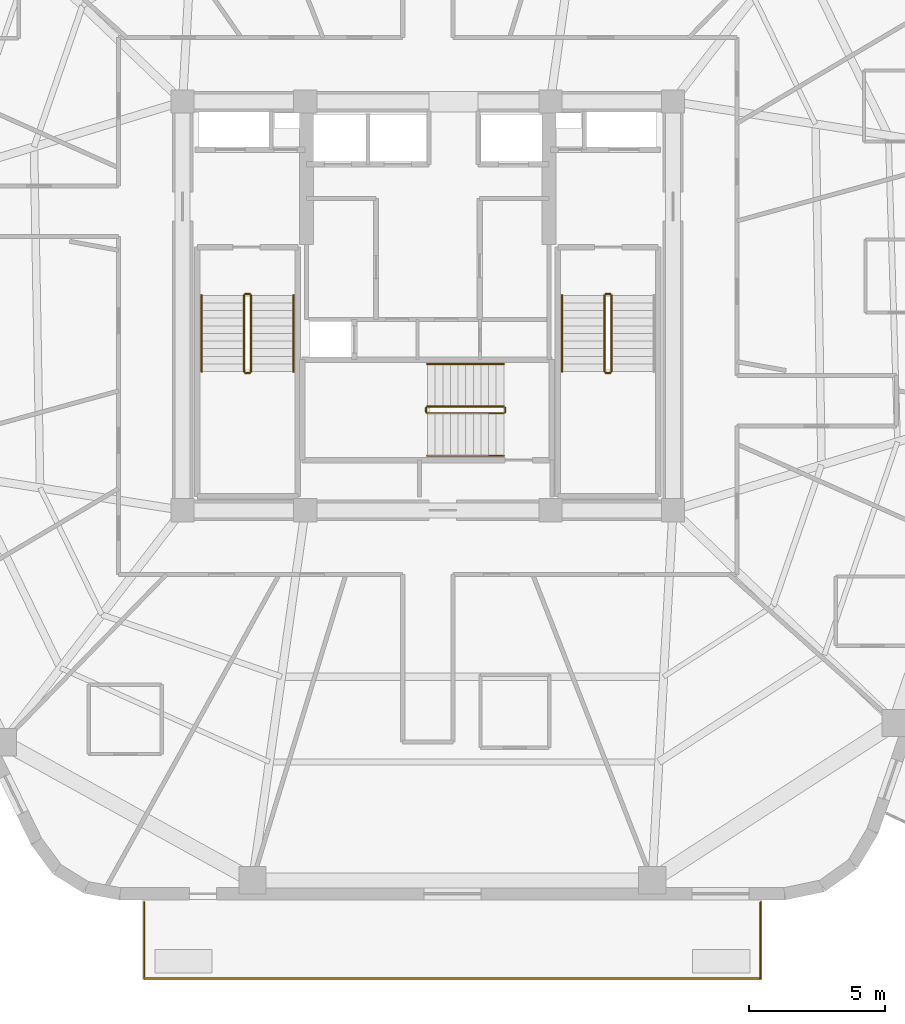
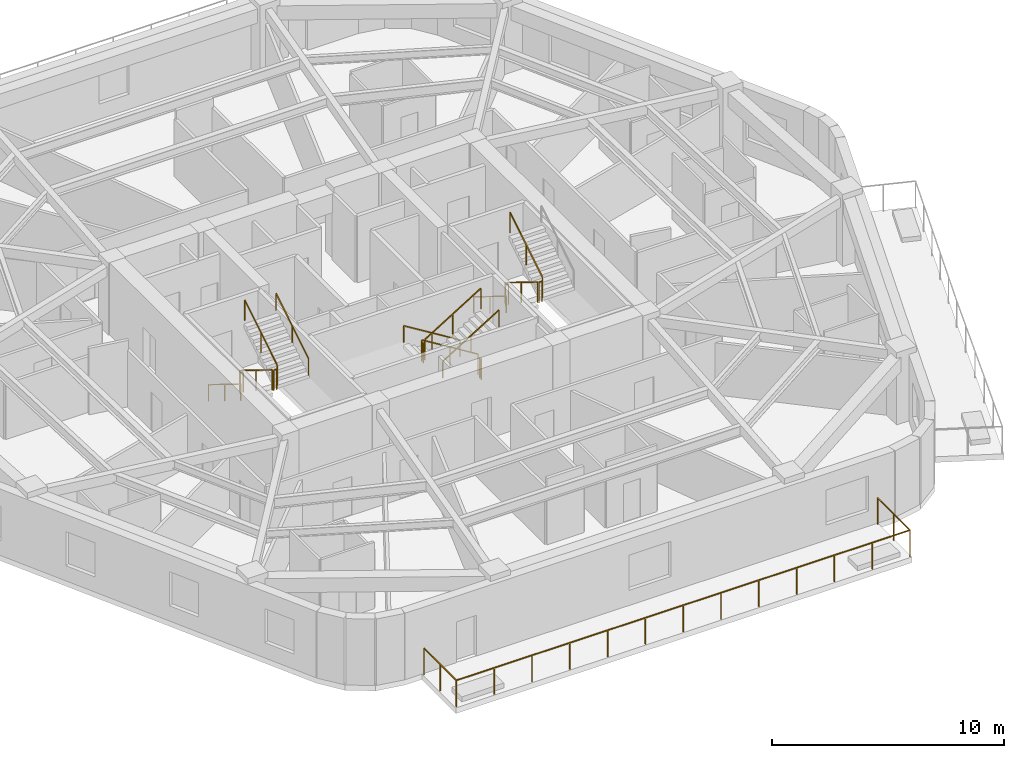
# One storey, part 8 of 9: 18 railings.
"""IFC4 building model written with IfcOpenShell, lengths in metres."""

from ifc_helpers import new_model, si_unit, direction, frame, origin, origin_2d, place, context, subcontext, project, spatial, rectangle, extrude, material, layer, layer_set, type_object, element, save


model = new_model("IFC4")

# Units and contexts
model_context = context("Model", 3, precision=1e-05, world=origin(), true_north=direction((0.0, 1.0)))
body_context = subcontext(model_context, "Body", "Model", "MODEL_VIEW")
ifc_project = project(units=[si_unit("LENGTHUNIT", "METRE"), si_unit("AREAUNIT", "SQUARE_METRE"), si_unit("VOLUMEUNIT", "CUBIC_METRE"), si_unit("PLANEANGLEUNIT", "RADIAN"), si_unit("MASSUNIT", "GRAM", prefix="KILO")], contexts=[model_context])

# Site, building, storey
site_placement = place(None, origin())
site = spatial("IfcSite", under=ifc_project, at=site_placement, CompositionType="ELEMENT")
building_placement = place(site_placement, origin())
building = spatial("IfcBuilding", under=site, at=building_placement, Name="Kilnhurst Terrace Hotel", CompositionType="ELEMENT")
storey_placement = place(building_placement, frame((0.0, 0.0, 221.699951171875)))
storey = spatial("IfcBuildingStorey", under=building, at=storey_placement, Name="L55", CompositionType="ELEMENT", Elevation=221.699951171875)

# Railings
ifc_material_1 = material(Name="Laminated SentryGlas and Stainless Steel AISI 316L Balustrade", Category="steel")
ifc_layer_1 = layer(ifc_material_1, 0.070068359375, Name="Laminated SentryGlas and Stainless Steel AISI 316L Balustrade")
ifc_layer_set_1 = layer_set([ifc_layer_1], Name="Laminated SentryGlas and Stainless Steel AISI 316L Balustrade")
railing_type_1 = type_object("IfcRailingType", Name="RLG-BAL-1420", PredefinedType="BALUSTRADE", material=ifc_layer_set_1)
railing_1_placement = place(storey_placement, frame((12.21484375, -21.8798828125, 0.0)))
element("IfcRailing", 1, at=railing_1_placement, inside=storey, type_object=railing_type_1, Name="L55 Exterior Terrace Guardrail BAL-L1A.1", PredefinedType="BALUSTRADE", context=body_context, shape_type="SweptSolid", body=[
    extrude(rectangle(XDim=0.048095703125, YDim=0.048095703125, at=origin_2d()), frame((0.0, 0.0, 1.39599609375), z_axis=(0.0, -1.0, 0.0), x_axis=(1.0, 0.0, 0.0)), (0.0, 0.0, 1.0), 2.800048828125),
    extrude(rectangle(XDim=0.048095703125, YDim=0.048095703125, at=origin_2d()), frame((0.0, -2.800048828125, 1.39599609375), z_axis=(-1.0, 0.0, 0.0), x_axis=(0.0, -1.0, 0.0)), (0.0, 0.0, 1.0), 22.62353515625),
    extrude(rectangle(XDim=0.048095703125, YDim=0.048095703125, at=origin_2d()), frame((-22.62353515625, -2.800048828125, 1.39599609375), z_axis=(0.0, 1.0, 0.0), x_axis=(-1.0, 0.0, 0.0)), (0.0, 0.0, 1.0), 2.800048828125),
    extrude(rectangle(XDim=0.0419921875, YDim=0.0419921875, at=origin_2d()), origin(), (0.0, 0.0, 1.0), 1.371826171875),
    extrude(rectangle(XDim=0.0419921875, YDim=0.0419921875, at=origin_2d()), frame((0.0, -1.39990234375, 0.0)), (0.0, 0.0, 1.0), 1.371826171875),
    extrude(rectangle(XDim=0.0419921875, YDim=0.0419921875, at=origin_2d()), frame((0.0, -2.800048828125, 0.0)), (0.0, 0.0, 1.0), 1.371826171875),
    extrude(rectangle(XDim=0.0419921875, YDim=0.0419921875, at=origin_2d()), frame((-1.88525390625, -2.800048828125, 0.0)), (0.0, 0.0, 1.0), 1.371826171875),
    extrude(rectangle(XDim=0.0419921875, YDim=0.0419921875, at=origin_2d()), frame((-3.7705078125, -2.800048828125, 0.0)), (0.0, 0.0, 1.0), 1.371826171875),
    extrude(rectangle(XDim=0.0419921875, YDim=0.0419921875, at=origin_2d()), frame((-5.65576171875, -2.800048828125, 0.0)), (0.0, 0.0, 1.0), 1.371826171875),
    extrude(rectangle(XDim=0.0419921875, YDim=0.0419921875, at=origin_2d()), frame((-7.541259765625, -2.800048828125, 0.0)), (0.0, 0.0, 1.0), 1.371826171875),
    extrude(rectangle(XDim=0.0419921875, YDim=0.0419921875, at=origin_2d()), frame((-9.426513671875, -2.800048828125, 0.0)), (0.0, 0.0, 1.0), 1.371826171875),
    extrude(rectangle(XDim=0.0419921875, YDim=0.0419921875, at=origin_2d()), frame((-11.311767578125, -2.800048828125, 0.0)), (0.0, 0.0, 1.0), 1.371826171875),
    extrude(rectangle(XDim=0.0419921875, YDim=0.0419921875, at=origin_2d()), frame((-13.197021484375, -2.800048828125, 0.0)), (0.0, 0.0, 1.0), 1.371826171875),
    extrude(rectangle(XDim=0.0419921875, YDim=0.0419921875, at=origin_2d()), frame((-15.082275390625, -2.800048828125, 0.0)), (0.0, 0.0, 1.0), 1.371826171875),
    extrude(rectangle(XDim=0.0419921875, YDim=0.0419921875, at=origin_2d()), frame((-16.9677734375, -2.800048828125, 0.0)), (0.0, 0.0, 1.0), 1.371826171875),
    extrude(rectangle(XDim=0.0419921875, YDim=0.0419921875, at=origin_2d()), frame((-18.85302734375, -2.800048828125, 0.0)), (0.0, 0.0, 1.0), 1.371826171875),
    extrude(rectangle(XDim=0.0419921875, YDim=0.0419921875, at=origin_2d()), frame((-20.73828125, -2.800048828125, 0.0)), (0.0, 0.0, 1.0), 1.371826171875),
    extrude(rectangle(XDim=0.0419921875, YDim=0.0419921875, at=origin_2d()), frame((-22.62353515625, -2.800048828125, 0.0)), (0.0, 0.0, 1.0), 1.371826171875),
    extrude(rectangle(XDim=0.0419921875, YDim=0.0419921875, at=origin_2d()), frame((-22.62353515625, -1.39990234375, 0.0)), (0.0, 0.0, 1.0), 1.371826171875),
    extrude(rectangle(XDim=0.0419921875, YDim=0.0419921875, at=origin_2d()), frame((-22.62353515625, 0.0, 0.0)), (0.0, 0.0, 1.0), 1.371826171875),
])
ifc_material_2 = material(Name="Powder-Coated Steel ASTM A500 Grade B", Category="steel")
ifc_layer_2 = layer(ifc_material_2, 0.050048828125, Name="Powder-Coated Steel ASTM A500 Grade B")
ifc_layer_set_2 = layer_set([ifc_layer_2], Name="Powder-Coated Steel ASTM A500 Grade B")
railing_type_2 = type_object("IfcRailingType", Name="RLG-ST-GRD-1100", PredefinedType="GUARDRAIL", material=ifc_layer_set_2)
railing_2_placement = place(storey_placement, frame((-6.739990234375, 0.389892578125, 0.1728515625)))
element("IfcRailing", 2, at=railing_2_placement, inside=storey, type_object=railing_type_2, Name="L55 ST-1 stair guard 1", PredefinedType="GUARDRAIL", context=body_context, shape_type="SweptSolid", body=[
    extrude(rectangle(XDim=0.048095703125, YDim=0.048095703125, at=origin_2d()), frame((0.0, 0.0, 1.076171875), z_axis=(0.0, -0.851069175582, 0.525053576669), x_axis=(1.0, 0.0, 0.0)), (0.0, 0.0, 1.0), 3.289794921875),
    extrude(rectangle(XDim=0.0419921875, YDim=0.0419921875, at=origin_2d()), origin(), (0.0, 0.0, 1.0), 1.052001953125),
    extrude(rectangle(XDim=0.0419921875, YDim=0.0419921875, at=origin_2d()), frame((0.0, -1.39990234375, 0.86376953125)), (0.0, 0.0, 1.0), 1.052001953125),
    extrude(rectangle(XDim=0.0419921875, YDim=0.0419921875, at=origin_2d()), frame((0.0, -2.7998046875, 1.727294921875)), (0.0, 0.0, 1.0), 1.052001953125),
])
railing_3_placement = place(storey_placement, frame((-6.68994140625, -2.4599609375, 1.900146484375)))
element("IfcRailing", 3, at=railing_3_placement, inside=storey, type_object=railing_type_2, Name="L55 ST-1 stair guard 2", PredefinedType="GUARDRAIL", context=body_context, shape_type="SweptSolid", body=[
    extrude(rectangle(XDim=0.048095703125, YDim=0.048095703125, at=origin_2d()), frame((0.0, 0.0, 1.076171875), z_axis=(1.0, 0.0, 0.0), x_axis=(0.0, 1.0, 0.0)), (0.0, 0.0, 1.0), 0.14990234375),
    extrude(rectangle(XDim=0.0419921875, YDim=0.0419921875, at=origin_2d()), origin(), (0.0, 0.0, 1.0), 1.052001953125),
    extrude(rectangle(XDim=0.0419921875, YDim=0.0419921875, at=origin_2d()), frame((0.14990234375, 0.0, 0.0)), (0.0, 0.0, 1.0), 1.052001953125),
])
railing_4_placement = place(storey_placement, frame((-6.489990234375, -2.409912109375, 2.07275390625)))
element("IfcRailing", 4, at=railing_4_placement, inside=storey, type_object=railing_type_2, Name="L55 ST-1 stair guard 3", PredefinedType="GUARDRAIL", context=body_context, shape_type="SweptSolid", body=[
    extrude(rectangle(XDim=0.048095703125, YDim=0.048095703125, at=origin_2d()), frame((0.0, 0.0, 1.076171875), z_axis=(0.0, 0.851069175582, 0.525053576669), x_axis=(-1.0, 0.0, 0.0)), (0.0, 0.0, 1.0), 3.289794921875),
    extrude(rectangle(XDim=0.0419921875, YDim=0.0419921875, at=origin_2d()), origin(), (0.0, 0.0, 1.0), 1.052001953125),
    extrude(rectangle(XDim=0.0419921875, YDim=0.0419921875, at=origin_2d()), frame((0.0, 1.39990234375, 0.86376953125)), (0.0, 0.0, 1.0), 1.052001953125),
    extrude(rectangle(XDim=0.0419921875, YDim=0.0419921875, at=origin_2d()), frame((0.0, 2.7998046875, 1.727294921875)), (0.0, 0.0, 1.0), 1.052001953125),
])
railing_5_placement = place(storey_placement, frame((-6.68994140625, 0.43994140625, 0.0)))
element("IfcRailing", 5, at=railing_5_placement, inside=storey, type_object=railing_type_2, Name="L55 ST-1 stair guard 4", PredefinedType="GUARDRAIL", context=body_context, shape_type="SweptSolid", body=[
    extrude(rectangle(XDim=0.048095703125, YDim=0.048095703125, at=origin_2d()), frame((0.0, 0.0, 1.076171875), z_axis=(1.0, 0.0, 0.0), x_axis=(0.0, 1.0, 0.0)), (0.0, 0.0, 1.0), 0.14990234375),
    extrude(rectangle(XDim=0.0419921875, YDim=0.0419921875, at=origin_2d()), origin(), (0.0, 0.0, 1.0), 1.052001953125),
    extrude(rectangle(XDim=0.0419921875, YDim=0.0419921875, at=origin_2d()), frame((0.14990234375, 0.0, 0.0)), (0.0, 0.0, 1.0), 1.052001953125),
])
railing_6_placement = place(storey_placement, frame((6.489990234375, 0.389892578125, 0.1728515625)))
element("IfcRailing", 6, at=railing_6_placement, inside=storey, type_object=railing_type_2, Name="L55 ST-2 stair guard 1", PredefinedType="GUARDRAIL", context=body_context, shape_type="SweptSolid", body=[
    extrude(rectangle(XDim=0.048095703125, YDim=0.048095703125, at=origin_2d()), frame((0.0, 0.0, 1.076171875), z_axis=(0.0, -0.851069175582, 0.525053576669), x_axis=(1.0, 0.0, 0.0)), (0.0, 0.0, 1.0), 3.289794921875),
    extrude(rectangle(XDim=0.0419921875, YDim=0.0419921875, at=origin_2d()), origin(), (0.0, 0.0, 1.0), 1.052001953125),
    extrude(rectangle(XDim=0.0419921875, YDim=0.0419921875, at=origin_2d()), frame((0.0, -1.39990234375, 0.86376953125)), (0.0, 0.0, 1.0), 1.052001953125),
    extrude(rectangle(XDim=0.0419921875, YDim=0.0419921875, at=origin_2d()), frame((0.0, -2.7998046875, 1.727294921875)), (0.0, 0.0, 1.0), 1.052001953125),
])
railing_7_placement = place(storey_placement, frame((6.5400390625, -2.4599609375, 1.900146484375)))
element("IfcRailing", 7, at=railing_7_placement, inside=storey, type_object=railing_type_2, Name="L55 ST-2 stair guard 2", PredefinedType="GUARDRAIL", context=body_context, shape_type="SweptSolid", body=[
    extrude(rectangle(XDim=0.048095703125, YDim=0.048095703125, at=origin_2d()), frame((0.0, 0.0, 1.076171875), z_axis=(1.0, 0.0, 0.0), x_axis=(0.0, 1.0, 0.0)), (0.0, 0.0, 1.0), 0.14990234375),
    extrude(rectangle(XDim=0.0419921875, YDim=0.0419921875, at=origin_2d()), origin(), (0.0, 0.0, 1.0), 1.052001953125),
    extrude(rectangle(XDim=0.0419921875, YDim=0.0419921875, at=origin_2d()), frame((0.14990234375, 0.0, 0.0)), (0.0, 0.0, 1.0), 1.052001953125),
])
railing_8_placement = place(storey_placement, frame((6.739990234375, -2.409912109375, 2.07275390625)))
element("IfcRailing", 8, at=railing_8_placement, inside=storey, type_object=railing_type_2, Name="L55 ST-2 stair guard 3", PredefinedType="GUARDRAIL", context=body_context, shape_type="SweptSolid", body=[
    extrude(rectangle(XDim=0.048095703125, YDim=0.048095703125, at=origin_2d()), frame((0.0, 0.0, 1.076171875), z_axis=(0.0, 0.851069175582, 0.525053576669), x_axis=(-1.0, 0.0, 0.0)), (0.0, 0.0, 1.0), 3.289794921875),
    extrude(rectangle(XDim=0.0419921875, YDim=0.0419921875, at=origin_2d()), origin(), (0.0, 0.0, 1.0), 1.052001953125),
    extrude(rectangle(XDim=0.0419921875, YDim=0.0419921875, at=origin_2d()), frame((0.0, 1.39990234375, 0.86376953125)), (0.0, 0.0, 1.0), 1.052001953125),
    extrude(rectangle(XDim=0.0419921875, YDim=0.0419921875, at=origin_2d()), frame((0.0, 2.7998046875, 1.727294921875)), (0.0, 0.0, 1.0), 1.052001953125),
])
railing_9_placement = place(storey_placement, frame((6.5400390625, 0.43994140625, 0.0)))
element("IfcRailing", 9, at=railing_9_placement, inside=storey, type_object=railing_type_2, Name="L55 ST-2 stair guard 4", PredefinedType="GUARDRAIL", context=body_context, shape_type="SweptSolid", body=[
    extrude(rectangle(XDim=0.048095703125, YDim=0.048095703125, at=origin_2d()), frame((0.0, 0.0, 1.076171875), z_axis=(1.0, 0.0, 0.0), x_axis=(0.0, 1.0, 0.0)), (0.0, 0.0, 1.0), 0.14990234375),
    extrude(rectangle(XDim=0.0419921875, YDim=0.0419921875, at=origin_2d()), origin(), (0.0, 0.0, 1.0), 1.052001953125),
    extrude(rectangle(XDim=0.0419921875, YDim=0.0419921875, at=origin_2d()), frame((0.14990234375, 0.0, 0.0)), (0.0, 0.0, 1.0), 1.052001953125),
])
railing_10_placement = place(storey_placement, frame((2.7900390625, -3.68994140625, 0.1728515625)))
element("IfcRailing", 10, at=railing_10_placement, inside=storey, type_object=railing_type_2, Name="L55 ST-3 stair guard 1", PredefinedType="GUARDRAIL", context=body_context, shape_type="SweptSolid", body=[
    extrude(rectangle(XDim=0.048095703125, YDim=0.048095703125, at=origin_2d()), frame((0.0, 0.0, 1.076171875), z_axis=(-0.851089632645, 0.0, 0.525020415988), x_axis=(0.0, -1.0, 0.0)), (0.0, 0.0, 1.0), 3.2900390625),
    extrude(rectangle(XDim=0.0419921875, YDim=0.0419921875, at=origin_2d()), origin(), (0.0, 0.0, 1.0), 1.052001953125),
    extrude(rectangle(XDim=0.0419921875, YDim=0.0419921875, at=origin_2d()), frame((-1.39990234375, 0.0, 0.86376953125)), (0.0, 0.0, 1.0), 1.052001953125),
    extrude(rectangle(XDim=0.0419921875, YDim=0.0419921875, at=origin_2d()), frame((-2.800048828125, 0.0, 1.727294921875)), (0.0, 0.0, 1.0), 1.052001953125),
])
railing_11_placement = place(storey_placement, frame((-0.06005859375, -3.739990234375, 1.900146484375)))
element("IfcRailing", 11, at=railing_11_placement, inside=storey, type_object=railing_type_2, Name="L55 ST-3 stair guard 2", PredefinedType="GUARDRAIL", context=body_context, shape_type="SweptSolid", body=[
    extrude(rectangle(XDim=0.048095703125, YDim=0.048095703125, at=origin_2d()), frame((0.0, 0.0, 1.076171875), z_axis=(0.0, -1.0, 0.0), x_axis=(1.0, 0.0, 0.0)), (0.0, 0.0, 1.0), 0.14990234375),
    extrude(rectangle(XDim=0.0419921875, YDim=0.0419921875, at=origin_2d()), origin(), (0.0, 0.0, 1.0), 1.052001953125),
    extrude(rectangle(XDim=0.0419921875, YDim=0.0419921875, at=origin_2d()), frame((0.0, -0.14990234375, 0.0)), (0.0, 0.0, 1.0), 1.052001953125),
])
railing_12_placement = place(storey_placement, frame((-0.010009765625, -3.93994140625, 2.07275390625)))
element("IfcRailing", 12, at=railing_12_placement, inside=storey, type_object=railing_type_2, Name="L55 ST-3 stair guard 3", PredefinedType="GUARDRAIL", context=body_context, shape_type="SweptSolid", body=[
    extrude(rectangle(XDim=0.048095703125, YDim=0.048095703125, at=origin_2d()), frame((0.0, 0.0, 1.076171875), z_axis=(0.851089632645, 0.0, 0.525020415988), x_axis=(0.0, 1.0, 0.0)), (0.0, 0.0, 1.0), 3.2900390625),
    extrude(rectangle(XDim=0.0419921875, YDim=0.0419921875, at=origin_2d()), origin(), (0.0, 0.0, 1.0), 1.052001953125),
    extrude(rectangle(XDim=0.0419921875, YDim=0.0419921875, at=origin_2d()), frame((1.39990234375, 0.0, 0.86376953125)), (0.0, 0.0, 1.0), 1.052001953125),
    extrude(rectangle(XDim=0.0419921875, YDim=0.0419921875, at=origin_2d()), frame((2.800048828125, 0.0, 1.727294921875)), (0.0, 0.0, 1.0), 1.052001953125),
])
railing_13_placement = place(storey_placement, frame((2.840087890625, -3.739990234375, 0.0)))
element("IfcRailing", 13, at=railing_13_placement, inside=storey, type_object=railing_type_2, Name="L55 ST-3 stair guard 4", PredefinedType="GUARDRAIL", context=body_context, shape_type="SweptSolid", body=[
    extrude(rectangle(XDim=0.048095703125, YDim=0.048095703125, at=origin_2d()), frame((0.0, 0.0, 1.076171875), z_axis=(0.0, -1.0, 0.0), x_axis=(1.0, 0.0, 0.0)), (0.0, 0.0, 1.0), 0.14990234375),
    extrude(rectangle(XDim=0.0419921875, YDim=0.0419921875, at=origin_2d()), origin(), (0.0, 0.0, 1.0), 1.052001953125),
    extrude(rectangle(XDim=0.0419921875, YDim=0.0419921875, at=origin_2d()), frame((0.0, -0.14990234375, 0.0)), (0.0, 0.0, 1.0), 1.052001953125),
])
ifc_material_3 = material(Name="Brushed Stainless Steel AISI 304", Category="steel")
ifc_layer_3 = layer(ifc_material_3, 0.048095703125, Name="Brushed Stainless Steel AISI 304")
ifc_layer_set_3 = layer_set([ifc_layer_3], Name="Brushed Stainless Steel AISI 304")
railing_type_3 = type_object("IfcRailingType", Name="RLG-ST-HRL-900", PredefinedType="HANDRAIL", material=ifc_layer_set_3)
railing_14_placement = place(storey_placement, frame((-8.300048828125, 0.389892578125, 0.1728515625)))
element("IfcRailing", 14, at=railing_14_placement, inside=storey, type_object=railing_type_3, Name="L55 ST-1 stair handrail 1", PredefinedType="HANDRAIL", context=body_context, shape_type="SweptSolid", body=[
    extrude(rectangle(XDim=0.048095703125, YDim=0.048095703125, at=origin_2d()), frame((0.0, 0.0, 0.8759765625), z_axis=(0.0, -0.851069175582, 0.525053576669), x_axis=(1.0, 0.0, 0.0)), (0.0, 0.0, 1.0), 3.289794921875),
    extrude(rectangle(XDim=0.0419921875, YDim=0.0419921875, at=origin_2d()), origin(), (0.0, 0.0, 1.0), 0.851806640625),
    extrude(rectangle(XDim=0.0419921875, YDim=0.0419921875, at=origin_2d()), frame((0.0, -1.39990234375, 0.86376953125)), (0.0, 0.0, 1.0), 0.851806640625),
    extrude(rectangle(XDim=0.0419921875, YDim=0.0419921875, at=origin_2d()), frame((0.0, -2.7998046875, 1.727294921875)), (0.0, 0.0, 1.0), 0.851806640625),
])
railing_15_placement = place(storey_placement, frame((-4.929931640625, -2.409912109375, 2.07275390625)))
element("IfcRailing", 15, at=railing_15_placement, inside=storey, type_object=railing_type_3, Name="L55 ST-1 stair handrail 2", PredefinedType="HANDRAIL", context=body_context, shape_type="SweptSolid", body=[
    extrude(rectangle(XDim=0.048095703125, YDim=0.048095703125, at=origin_2d()), frame((0.0, 0.0, 0.8759765625), z_axis=(0.0, 0.851069175582, 0.525053576669), x_axis=(-1.0, 0.0, 0.0)), (0.0, 0.0, 1.0), 3.289794921875),
    extrude(rectangle(XDim=0.0419921875, YDim=0.0419921875, at=origin_2d()), origin(), (0.0, 0.0, 1.0), 0.851806640625),
    extrude(rectangle(XDim=0.0419921875, YDim=0.0419921875, at=origin_2d()), frame((0.0, 1.39990234375, 0.86376953125)), (0.0, 0.0, 1.0), 0.851806640625),
    extrude(rectangle(XDim=0.0419921875, YDim=0.0419921875, at=origin_2d()), frame((0.0, 2.7998046875, 1.727294921875)), (0.0, 0.0, 1.0), 0.851806640625),
])
railing_16_placement = place(storey_placement, frame((4.929931640625, 0.389892578125, 0.1728515625)))
element("IfcRailing", 16, at=railing_16_placement, inside=storey, type_object=railing_type_3, Name="L55 ST-2 stair handrail 1", PredefinedType="HANDRAIL", context=body_context, shape_type="SweptSolid", body=[
    extrude(rectangle(XDim=0.048095703125, YDim=0.048095703125, at=origin_2d()), frame((0.0, 0.0, 0.8759765625), z_axis=(0.0, -0.851069175582, 0.525053576669), x_axis=(1.0, 0.0, 0.0)), (0.0, 0.0, 1.0), 3.289794921875),
    extrude(rectangle(XDim=0.0419921875, YDim=0.0419921875, at=origin_2d()), origin(), (0.0, 0.0, 1.0), 0.851806640625),
    extrude(rectangle(XDim=0.0419921875, YDim=0.0419921875, at=origin_2d()), frame((0.0, -1.39990234375, 0.86376953125)), (0.0, 0.0, 1.0), 0.851806640625),
    extrude(rectangle(XDim=0.0419921875, YDim=0.0419921875, at=origin_2d()), frame((0.0, -2.7998046875, 1.727294921875)), (0.0, 0.0, 1.0), 0.851806640625),
])
railing_17_placement = place(storey_placement, frame((2.7900390625, -2.1298828125, 0.1728515625)))
element("IfcRailing", 17, at=railing_17_placement, inside=storey, type_object=railing_type_3, Name="L55 ST-3 stair handrail 1", PredefinedType="HANDRAIL", context=body_context, shape_type="SweptSolid", body=[
    extrude(rectangle(XDim=0.048095703125, YDim=0.048095703125, at=origin_2d()), frame((0.0, 0.0, 0.8759765625), z_axis=(-0.851089632645, 0.0, 0.525020415988), x_axis=(0.0, -1.0, 0.0)), (0.0, 0.0, 1.0), 3.2900390625),
    extrude(rectangle(XDim=0.0419921875, YDim=0.0419921875, at=origin_2d()), origin(), (0.0, 0.0, 1.0), 0.851806640625),
    extrude(rectangle(XDim=0.0419921875, YDim=0.0419921875, at=origin_2d()), frame((-1.39990234375, 0.0, 0.86376953125)), (0.0, 0.0, 1.0), 0.851806640625),
    extrude(rectangle(XDim=0.0419921875, YDim=0.0419921875, at=origin_2d()), frame((-2.800048828125, 0.0, 1.727294921875)), (0.0, 0.0, 1.0), 0.851806640625),
])
railing_18_placement = place(storey_placement, frame((-0.010009765625, -5.5, 2.07275390625)))
element("IfcRailing", 18, at=railing_18_placement, inside=storey, type_object=railing_type_3, Name="L55 ST-3 stair handrail 2", PredefinedType="HANDRAIL", context=body_context, shape_type="SweptSolid", body=[
    extrude(rectangle(XDim=0.048095703125, YDim=0.048095703125, at=origin_2d()), frame((0.0, 0.0, 0.8759765625), z_axis=(0.851089632645, 0.0, 0.525020415988), x_axis=(0.0, 1.0, 0.0)), (0.0, 0.0, 1.0), 3.2900390625),
    extrude(rectangle(XDim=0.0419921875, YDim=0.0419921875, at=origin_2d()), origin(), (0.0, 0.0, 1.0), 0.851806640625),
    extrude(rectangle(XDim=0.0419921875, YDim=0.0419921875, at=origin_2d()), frame((1.39990234375, 0.0, 0.86376953125)), (0.0, 0.0, 1.0), 0.851806640625),
    extrude(rectangle(XDim=0.0419921875, YDim=0.0419921875, at=origin_2d()), frame((2.800048828125, 0.0, 1.727294921875)), (0.0, 0.0, 1.0), 0.851806640625),
])

save(model, "model.ifc")
